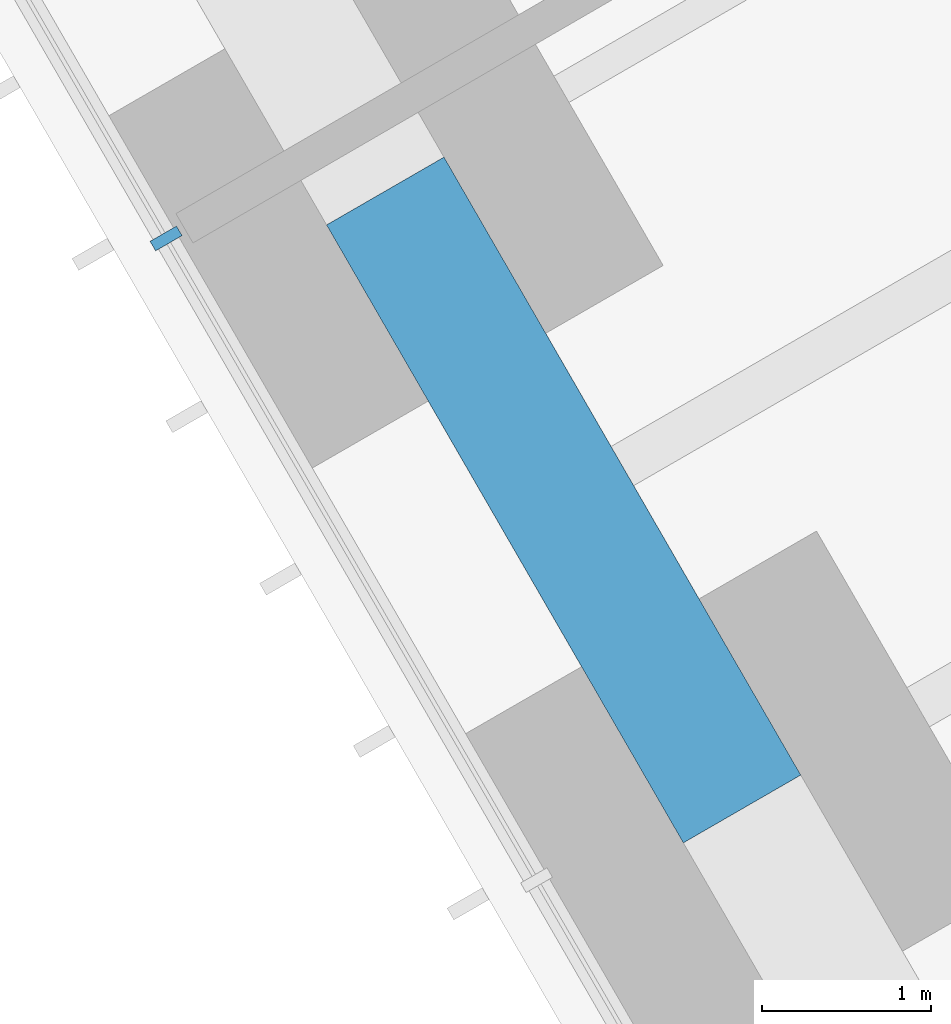
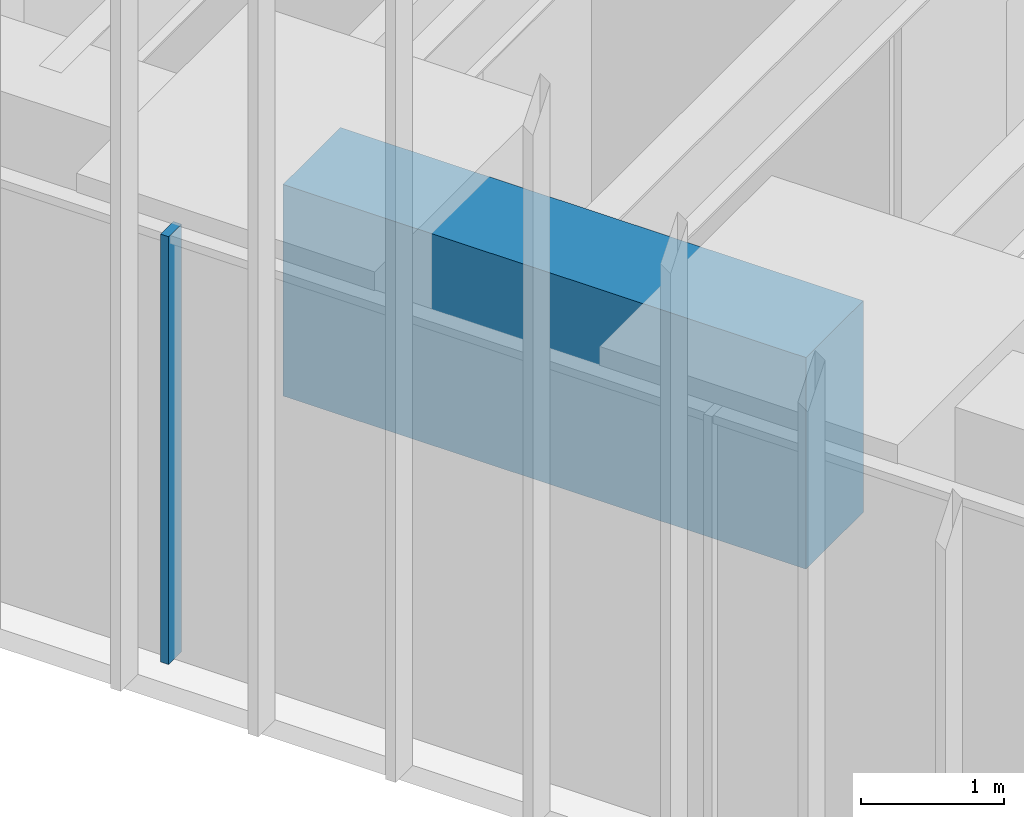
# One storey, part 60 of 256: 1 beam, 1 member, 1 element without a shape of its own.
"""IFC4 building model written with IfcOpenShell, lengths in metres."""

from ifc_helpers import new_model, si_unit, direction, frame, origin, origin_2d, place, context, subcontext, project, spatial, rectangle, extrude, material, material_profile, profile_set, type_object, element, aggregate, save


model = new_model("IFC4")

# Units and contexts
model_context = context("Model", 3, precision=1e-05, world=origin(), true_north=direction((0.0, 1.0)))
body_context = subcontext(model_context, "Body", "Model", "MODEL_VIEW")
ifc_project = project(units=[si_unit("LENGTHUNIT", "METRE"), si_unit("AREAUNIT", "SQUARE_METRE"), si_unit("VOLUMEUNIT", "CUBIC_METRE"), si_unit("PLANEANGLEUNIT", "RADIAN"), si_unit("MASSUNIT", "GRAM", prefix="KILO")], contexts=[model_context])

# Site, building, storey
site_placement = place(None, origin())
site = spatial("IfcSite", under=ifc_project, at=site_placement, CompositionType="ELEMENT")
building_placement = place(site_placement, origin())
building = spatial("IfcBuilding", under=site, at=building_placement, Name="Sandreach Pilgrim Tower", CompositionType="ELEMENT")
storey_placement = place(building_placement, frame((0.0, 0.0, 23.0)))
storey = spatial("IfcBuildingStorey", under=building, at=storey_placement, Name="L04", CompositionType="ELEMENT", Elevation=23.0)

# Curtain wall, member
ifc_material_1 = material(Name="Aluminium framed curtain wall", Category="aluminium")
curtain_wall_type = type_object("IfcCurtainWallType", Name="Hostel tower curtain wall", PredefinedType="NOTDEFINED", material=ifc_material_1)
curtain_wall_placement = place(storey_placement, origin())
curtain_wall = element("IfcCurtainWall", 1, at=curtain_wall_placement, inside=storey, type_object=curtain_wall_type, Name="CW-1 L04 SW", PredefinedType="NOTDEFINED")
ifc_material_2 = material(Name="Aluminium extrusion", Category="aluminium")
ifc_material_profile_1 = material_profile(ifc_material_2, rectangle(XDim=0.06494140625, YDim=0.179931640625, at=origin_2d()), Name="CW-1M 65X180")
ifc_profile_set_1 = profile_set([ifc_material_profile_1], Name="Aluminium extrusion")
member_type = type_object("IfcMemberType", Name="CW-1 mullion", PredefinedType="MULLION", material=ifc_profile_set_1)
member_placement = place(storey_placement, frame((-26.20458984375, -2.509521484375, 0.0), z_axis=(0.0, 0.0, 1.0), x_axis=(-0.5, 0.866025403784, 0.0)))
member = element("IfcMember", 2, at=member_placement, type_object=member_type, Name="CW-1 mullion 8", PredefinedType="MULLION", context=body_context, shape_type="SweptSolid", body=[
    extrude(rectangle(XDim=0.06494140625, YDim=0.179931640625, at=origin_2d()), origin(), (0.0, 0.0, 1.0), 3.639892578125),
])
aggregate(curtain_wall, [member])

# Beam
ifc_material_3 = material(Name="Concrete 10000 psi", Category="concrete")
ifc_material_profile_2 = material_profile(ifc_material_3, rectangle(XDim=0.800048828125, YDim=1.800048828125, at=origin_2d()), Name="RC800X1800")
ifc_profile_set_2 = profile_set([ifc_material_profile_2], Name="Concrete 10000 psi")
beam_type = type_object("IfcBeamType", Name="Spandrel beam RC800X1800", PredefinedType="SPANDREL", material=ifc_profile_set_2)
beam_placement = place(storey_placement, frame((-22.806396484375, -5.87548828125, 2.739990234375), z_axis=(-0.50001863446, 0.866014644907, 0.0), x_axis=(-0.866014644907, -0.50001863446, 0.0)))
element("IfcBeam", 3, at=beam_placement, inside=storey, type_object=beam_type, Name="BM L04 SP32", PredefinedType="SPANDREL", context=body_context, shape_type="SweptSolid", body=[
    extrude(rectangle(XDim=0.800048828125, YDim=1.800048828125, at=origin_2d()), origin(), (0.0, 0.0, 1.0), 4.209716796875),
])

save(model, "model.ifc")
